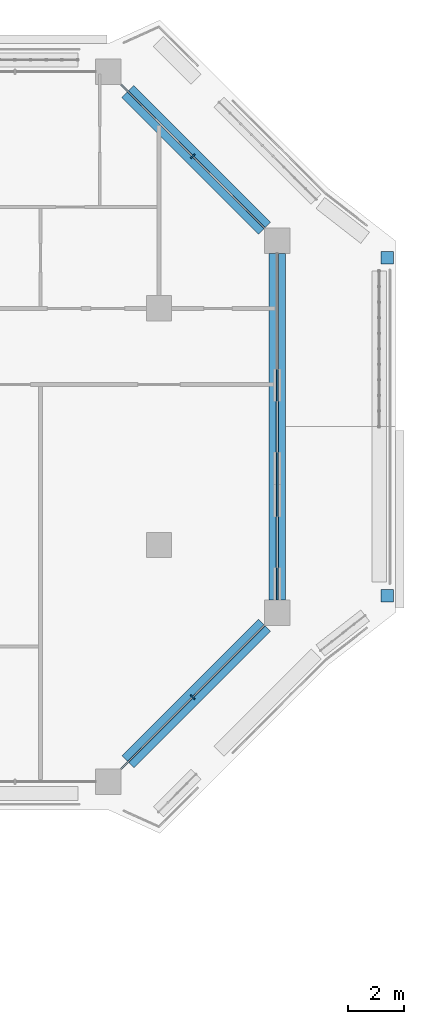
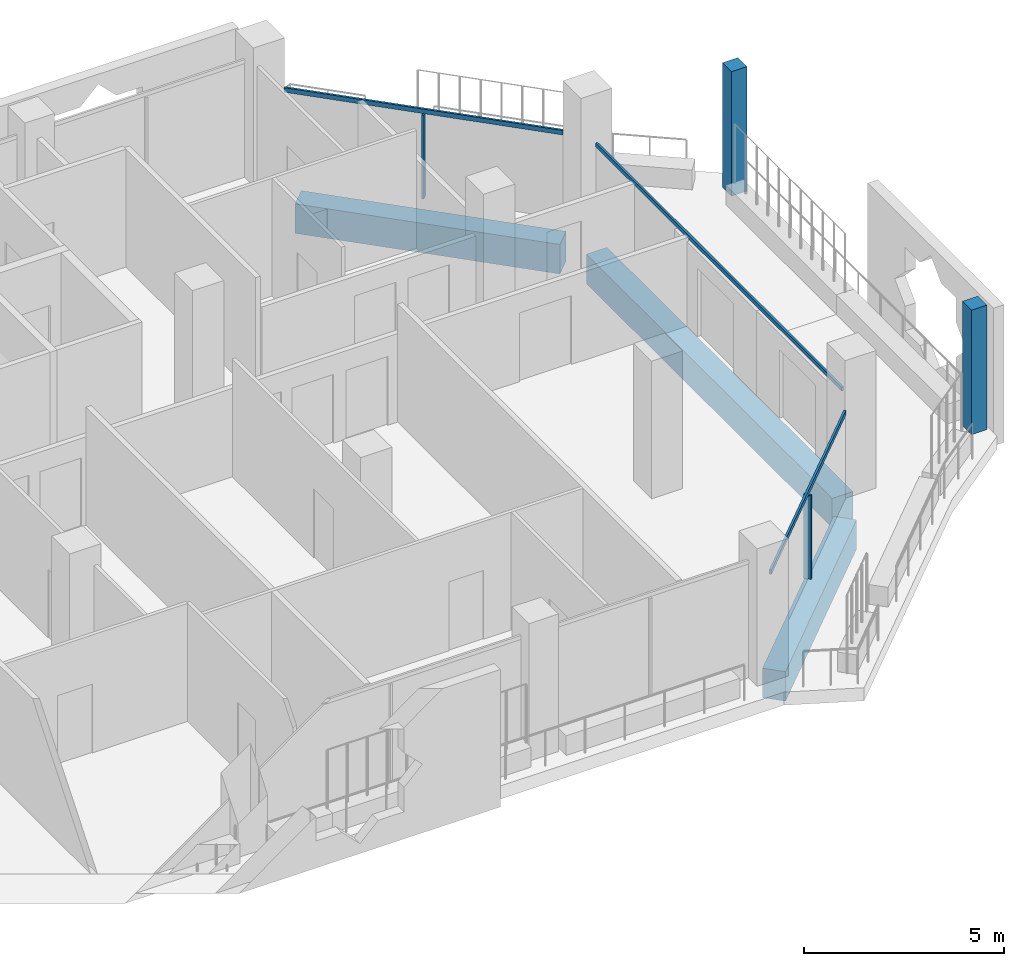
# One storey, part 7 of 20: 7 members, 3 beams, 4 elements without a shape of their own.
"""IFC4 building model written with IfcOpenShell, lengths in metres."""

from ifc_helpers import new_model, si_unit, direction, frame, origin, origin_2d, place, context, subcontext, project, spatial, rectangle, extrude, material, layer, layer_set, material_profile, profile_set, type_object, element, aggregate, save


model = new_model("IFC4")

# Units and contexts
model_context = context("Model", 3, precision=1e-05, world=origin(), true_north=direction((0.0, 1.0)))
body_context = subcontext(model_context, "Body", "Model", "MODEL_VIEW")
ifc_project = project(units=[si_unit("LENGTHUNIT", "METRE"), si_unit("AREAUNIT", "SQUARE_METRE"), si_unit("VOLUMEUNIT", "CUBIC_METRE"), si_unit("PLANEANGLEUNIT", "RADIAN"), si_unit("MASSUNIT", "GRAM", prefix="KILO")], contexts=[model_context])

# Site, building, storey
site_placement = place(None, origin())
site = spatial("IfcSite", under=ifc_project, at=site_placement, CompositionType="ELEMENT")
building_placement = place(site_placement, origin())
building = spatial("IfcBuilding", under=site, at=building_placement, Name="Kawkab Arch Medical Tower", CompositionType="ELEMENT")
storey_placement = place(building_placement, frame((0.0, 0.0, 239.0)))
storey = spatial("IfcBuildingStorey", under=building, at=storey_placement, Name="L55", CompositionType="ELEMENT", Elevation=239.0)

# Curtain wall, member
ifc_material_1 = material(Name="Bronze anodised aluminium curtain wall frame", Category="aluminium")
ifc_layer_1 = layer(ifc_material_1, 0.159912109375)
ifc_layer_set_1 = layer_set([ifc_layer_1], Name="Bronze anodised aluminium curtain wall frame")
curtain_wall_type_1 = type_object("IfcCurtainWallType", Name="CW1 ward curtain wall", PredefinedType="NOTDEFINED", material=ifc_layer_set_1)
placement = place(storey_placement, origin())
curtain_wall_1 = element("IfcCurtainWall", 1, at=placement, inside=storey, type_object=curtain_wall_type_1, Name="CW1 Ward curtain wall R09", PredefinedType="NOTDEFINED")
ifc_material_2 = material(Name="Bronze anodised aluminium curtain wall frame", Category="aluminium")
ifc_material_profile_1 = material_profile(ifc_material_2, rectangle(XDim=0.06005859375, YDim=0.1201171875, at=origin_2d()), Name="AL 60x120")
ifc_profile_set_1 = profile_set([ifc_material_profile_1], Name="Bronze anodised aluminium curtain wall frame")
member_type_1 = type_object("IfcMemberType", Name="CW1 transom 120 x 60", PredefinedType="USERDEFINED", material=ifc_profile_set_1)
member_1_placement = place(storey_placement, frame((63.0, -18.75, 2.639892578125), z_axis=(0.0, 1.0, 0.0), x_axis=(-1.0, 0.0, 0.0)))
member_1 = element("IfcMember", 2, at=member_1_placement, type_object=member_type_1, Name="CW1 transom 1", ObjectType="TRANSOM", PredefinedType="USERDEFINED", context=body_context, shape_type="SweptSolid", body=[
    extrude(rectangle(XDim=0.06005859375, YDim=0.1201171875, at=origin_2d()), origin(), (0.0, 0.0, 1.0), 12.300048828125),
])
aggregate(curtain_wall_1, [member_1])

ifc_material_3 = material(Name="Bronze anodised aluminium curtain wall frame", Category="aluminium")
ifc_layer_2 = layer(ifc_material_3, 0.159912109375)
ifc_layer_set_2 = layer_set([ifc_layer_2], Name="Bronze anodised aluminium curtain wall frame")
curtain_wall_type_2 = type_object("IfcCurtainWallType", Name="CW2 chamfer curtain wall", PredefinedType="NOTDEFINED", material=ifc_layer_set_2)
curtain_wall_2 = element("IfcCurtainWall", 3, at=placement, inside=storey, type_object=curtain_wall_type_2, Name="CW2 Chamfer curtain wall R08", PredefinedType="NOTDEFINED")
ifc_material_4 = material(Name="Bronze anodised aluminium curtain wall frame", Category="aluminium")
ifc_material_profile_2 = material_profile(ifc_material_4, rectangle(XDim=0.199951171875, YDim=0.06005859375, at=origin_2d()), Name="AL 60x200")
ifc_profile_set_2 = profile_set([ifc_material_profile_2], Name="Bronze anodised aluminium curtain wall frame")
member_type_2 = type_object("IfcMemberType", Name="CW2 mullion 60 x 200", PredefinedType="MULLION", material=ifc_profile_set_2)
member_2_placement = place(storey_placement, frame((60.0, -22.199951171875, 0.0), z_axis=(0.0, 0.0, 1.0), x_axis=(-0.707106781187, 0.707106781187, 0.0)))
member_2 = element("IfcMember", 4, at=member_2_placement, type_object=member_type_2, Name="CW2 mullion 1.1", PredefinedType="MULLION", context=body_context, shape_type="SweptSolid", body=[
    extrude(rectangle(XDim=0.199951171875, YDim=0.06005859375, at=origin_2d()), origin(), (0.0, 0.0, 1.0), 2.56005859375),
])

curtain_wall_3 = element("IfcCurtainWall", 5, at=placement, inside=storey, type_object=curtain_wall_type_2, Name="CW2 Chamfer curtain wall R10", PredefinedType="NOTDEFINED")
member_3_placement = place(storey_placement, frame((60.0, -3.0, 0.0), z_axis=(0.0, 0.0, 1.0), x_axis=(-0.707106781187, -0.707106781187, 0.0)))
member_3 = element("IfcMember", 6, at=member_3_placement, type_object=member_type_2, Name="CW2 mullion 1.1", PredefinedType="MULLION", context=body_context, shape_type="SweptSolid", body=[
    extrude(rectangle(XDim=0.199951171875, YDim=0.06005859375, at=origin_2d()), origin(), (0.0, 0.0, 1.0), 2.56005859375),
])

# Member
ifc_material_5 = material(Name="Bronze anodised aluminium curtain wall frame", Category="aluminium")
ifc_material_profile_3 = material_profile(ifc_material_5, rectangle(XDim=0.06005859375, YDim=0.139892578125, at=origin_2d()), Name="AL 60x140")
ifc_profile_set_3 = profile_set([ifc_material_profile_3], Name="Bronze anodised aluminium curtain wall frame")
member_type_3 = type_object("IfcMemberType", Name="CW2 transom 140 x 60", PredefinedType="USERDEFINED", material=ifc_profile_set_3)
member_4_placement = place(storey_placement, frame((57.449951171875, -24.75, 2.6298828125), z_axis=(0.707106781187, 0.707106781187, 0.0), x_axis=(-0.707106781187, 0.707106781187, 0.0)))
member_4 = element("IfcMember", 7, at=member_4_placement, type_object=member_type_3, Name="CW2 transom 1", ObjectType="TRANSOM", PredefinedType="USERDEFINED", context=body_context, shape_type="SweptSolid", body=[
    extrude(rectangle(XDim=0.06005859375, YDim=0.139892578125, at=origin_2d()), origin(), (0.0, 0.0, 1.0), 7.212646484375),
])

aggregate(curtain_wall_2, [member_4, member_2])

member_5_placement = place(storey_placement, frame((62.550048828125, -5.550048828125, 2.6298828125), z_axis=(-0.707106781187, 0.707106781187, 0.0), x_axis=(-0.707106781187, -0.707106781187, 0.0)))
member_5 = element("IfcMember", 8, at=member_5_placement, type_object=member_type_3, Name="CW2 transom 1", ObjectType="TRANSOM", PredefinedType="USERDEFINED", context=body_context, shape_type="SweptSolid", body=[
    extrude(rectangle(XDim=0.06005859375, YDim=0.139892578125, at=origin_2d()), origin(), (0.0, 0.0, 1.0), 7.212646484375),
])

aggregate(curtain_wall_3, [member_5, member_3])

# Curtain wall, members
ifc_material_6 = material(Name="Bronze anodised aluminium climber frame, planted", Category="aluminium")
ifc_layer_3 = layer(ifc_material_6, 0.449951171875)
ifc_layer_set_3 = layer_set([ifc_layer_3], Name="Bronze anodised aluminium climber frame, planted")
curtain_wall_type_3 = type_object("IfcCurtainWallType", Name="Planted climber frame", PredefinedType="NOTDEFINED", material=ifc_layer_set_3)
curtain_wall_4 = element("IfcCurtainWall", 9, at=placement, inside=storey, type_object=curtain_wall_type_3, Name="Planted climber frame L55", PredefinedType="NOTDEFINED")
ifc_material_7 = material(Name="Bronze anodised aluminium climber frame, planted", Category="aluminium")
ifc_material_profile_4 = material_profile(ifc_material_7, rectangle(XDim=0.449951171875, YDim=0.449951171875, at=origin_2d()), Name="Post 450x450")
ifc_profile_set_4 = profile_set([ifc_material_profile_4], Name="Bronze anodised aluminium climber frame, planted")
member_type_4 = type_object("IfcMemberType", Name="Planted climber post 450 x 450", PredefinedType="MULLION", material=ifc_profile_set_4)
member_6_placement = place(storey_placement, frame((66.89990234375, -6.596923828125, 0.0), z_axis=(0.0, 0.0, 1.0), x_axis=(1.0, 0.0, 0.0)))
member_6 = element("IfcMember", 10, at=member_6_placement, type_object=member_type_4, Name="Planted climber post L55.LOG-01-01.1", PredefinedType="MULLION", context=body_context, shape_type="SweptSolid", body=[
    extrude(rectangle(XDim=0.449951171875, YDim=0.449951171875, at=origin_2d()), origin(), (0.0, 0.0, 1.0), 3.800048828125),
])
member_7_placement = place(storey_placement, frame((66.89990234375, -18.60302734375, 0.0), z_axis=(0.0, 0.0, 1.0), x_axis=(1.0, 0.0, 0.0)))
member_7 = element("IfcMember", 11, at=member_7_placement, type_object=member_type_4, Name="Planted climber post L55.LOG-01-01.2", PredefinedType="MULLION", context=body_context, shape_type="SweptSolid", body=[
    extrude(rectangle(XDim=0.449951171875, YDim=0.449951171875, at=origin_2d()), origin(), (0.0, 0.0, 1.0), 3.800048828125),
])
aggregate(curtain_wall_4, [member_6, member_7])

# Beams
ifc_material_8 = material(Name="Concrete C45/55", Category="concrete")
ifc_material_profile_5 = material_profile(ifc_material_8, rectangle(XDim=0.60009765625, YDim=0.89990234375, at=origin_2d()), Name="RC 600x900")
ifc_profile_set_5 = profile_set([ifc_material_profile_5], Name="Concrete C45/55")
beam_type = type_object("IfcBeamType", Name="RC 600x900 beam C45/55", PredefinedType="BEAM", material=ifc_profile_set_5)
beam_1_placement = place(storey_placement, frame((57.699951171875, -0.699951171875, -1.050048828125), z_axis=(0.707106781187, -0.707106781187, 0.0), x_axis=(0.707106781187, 0.707106781187, 0.0)))
element("IfcBeam", 12, at=beam_1_placement, inside=storey, type_object=beam_type, Name="Overhang edge beam L55-01", PredefinedType="BEAM", context=body_context, shape_type="SweptSolid", body=[
    extrude(rectangle(XDim=0.60009765625, YDim=0.89990234375, at=origin_2d()), origin(), (0.0, 0.0, 1.0), 6.859130859375),
])
beam_2_placement = place(storey_placement, frame((63.0, -6.449951171875, -1.050048828125), z_axis=(0.0, -1.0, 0.0), x_axis=(1.0, 0.0, 0.0)))
element("IfcBeam", 13, at=beam_2_placement, inside=storey, type_object=beam_type, Name="Overhang edge beam L55-02", PredefinedType="BEAM", context=body_context, shape_type="SweptSolid", body=[
    extrude(rectangle(XDim=0.60009765625, YDim=0.89990234375, at=origin_2d()), origin(), (0.0, 0.0, 1.0), 12.300048828125),
])
beam_3_placement = place(storey_placement, frame((62.550048828125, -19.64990234375, -1.050048828125), z_axis=(-0.707106781187, -0.707106781187, 0.0), x_axis=(0.707106781187, -0.707106781187, 0.0)))
element("IfcBeam", 14, at=beam_3_placement, inside=storey, type_object=beam_type, Name="Overhang edge beam L55-03", PredefinedType="BEAM", context=body_context, shape_type="SweptSolid", body=[
    extrude(rectangle(XDim=0.60009765625, YDim=0.89990234375, at=origin_2d()), origin(), (0.0, 0.0, 1.0), 6.859130859375),
])

save(model, "model.ifc")
